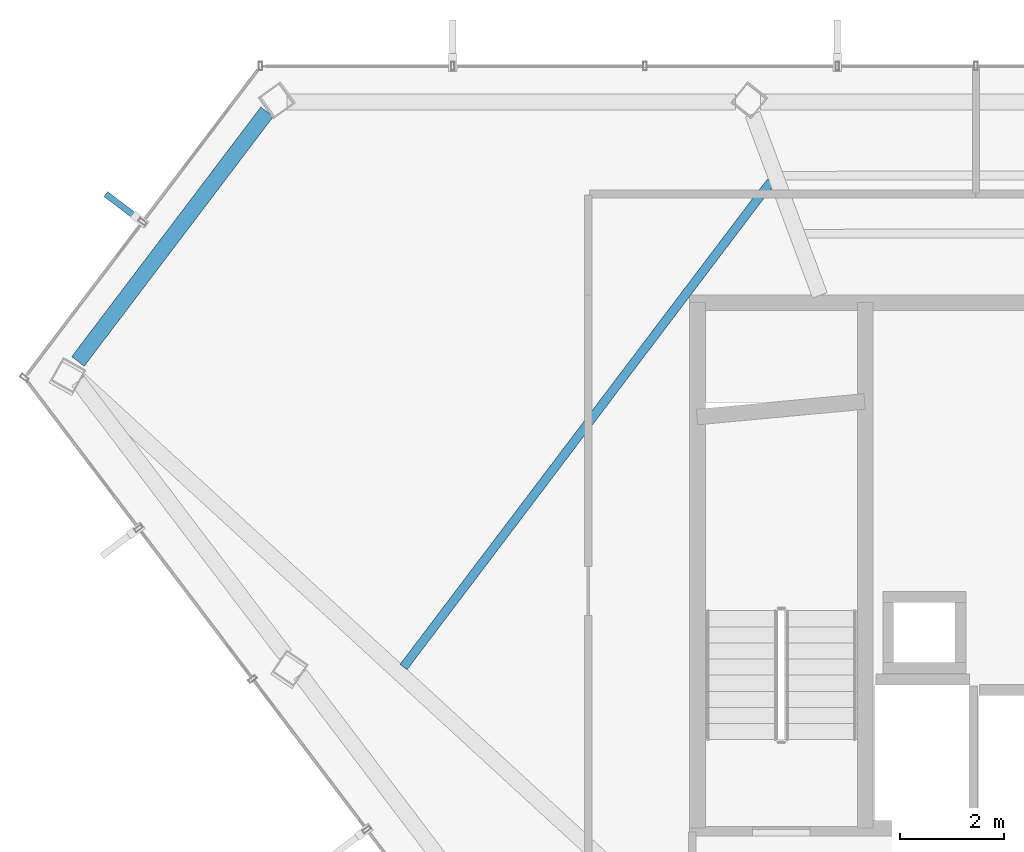
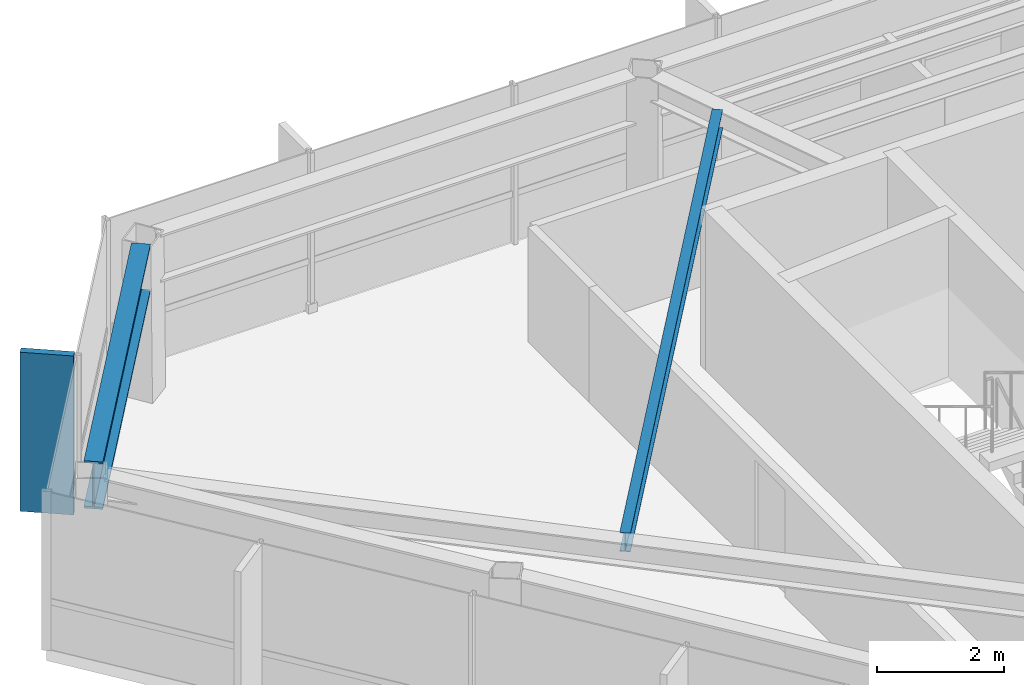
# One storey, part 9 of 24: 2 beams, 1 member, 1 element without a shape of its own.
"""IFC4 building model written with IfcOpenShell, lengths in metres."""

from ifc_helpers import new_model, si_unit, direction, frame, origin, origin_2d, place, context, subcontext, project, spatial, rectangle, i_section, extrude, material, layer, layer_set, material_profile, profile_set, type_object, element, aggregate, save


model = new_model("IFC4")

# Units and contexts
model_context = context("Model", 3, precision=1e-05, world=origin(), true_north=direction((0.0, 1.0)))
body_context = subcontext(model_context, "Body", "Model", "MODEL_VIEW")
ifc_project = project(units=[si_unit("LENGTHUNIT", "METRE"), si_unit("AREAUNIT", "SQUARE_METRE"), si_unit("VOLUMEUNIT", "CUBIC_METRE"), si_unit("PLANEANGLEUNIT", "RADIAN"), si_unit("MASSUNIT", "GRAM", prefix="KILO")], contexts=[model_context])

# Site, building, storey
site_placement = place(None, origin())
site = spatial("IfcSite", under=ifc_project, at=site_placement, CompositionType="ELEMENT")
building_placement = place(site_placement, origin())
building = spatial("IfcBuilding", under=site, at=building_placement, Name="Zarrinselat Tower", CompositionType="ELEMENT")
storey_placement = place(building_placement, frame((0.0, 0.0, 249.56005859375)))
storey = spatial("IfcBuildingStorey", under=building, at=storey_placement, Name="L63", CompositionType="ELEMENT", Elevation=249.56005859375)

# Beams
ifc_material_1 = material(Name="Steel S460M", Category="steel")
ifc_material_profile_1 = material_profile(ifc_material_1, i_section(OverallWidth=0.302001953125, OverallDepth=0.909912109375, WebThickness=0.02099609375, FlangeThickness=0.0400390625, at=origin_2d()), Name="HEM 900")
ifc_profile_set_1 = profile_set([ifc_material_profile_1], Name="Steel S460M")
beam_type_1 = type_object("IfcBeamType", Name="BM-HEM900", PredefinedType="BEAM", material=ifc_profile_set_1)
beam_1_placement = place(storey_placement, frame((16.7451171875, 42.269287109375, 2.594970703125), z_axis=(0.60385534464, 0.797093923418, 0.0), x_axis=(-0.797093923418, 0.60385534464, 0.0)))
element("IfcBeam", 1, at=beam_1_placement, inside=storey, type_object=beam_type_1, Name="L63 Perimeter Spandrel Girder SP05", PredefinedType="BEAM", context=body_context, shape_type="SweptSolid", body=[
    extrude(i_section(OverallWidth=0.302001953125, OverallDepth=0.909912109375, WebThickness=0.02099609375, FlangeThickness=0.0400390625, at=origin_2d()), origin(), (0.0, 0.0, 1.0), 6.017578125),
])
ifc_material_2 = material(Name="Steel S355J2", Category="steel")
ifc_material_profile_2 = material_profile(ifc_material_2, i_section(OverallWidth=0.169921875, OverallDepth=0.360107421875, WebThickness=0.008056640625, FlangeThickness=0.0126953125, at=origin_2d()), Name="IPE 360")
ifc_profile_set_2 = profile_set([ifc_material_profile_2], Name="Steel S355J2")
beam_type_2 = type_object("IfcBeamType", Name="BM-IPE360", PredefinedType="JOIST", material=ifc_profile_set_2)
beam_2_placement = place(storey_placement, frame((23.001220703125, 36.397216796875, 2.869873046875), z_axis=(0.6036065482, 0.79728234332, 0.0), x_axis=(-0.79728234332, 0.6036065482, 0.0)))
element("IfcBeam", 2, at=beam_2_placement, inside=storey, type_object=beam_type_2, Name="L63 Composite Floor Joist 9-1", PredefinedType="JOIST", context=body_context, shape_type="SweptSolid", body=[
    extrude(i_section(OverallWidth=0.169921875, OverallDepth=0.360107421875, WebThickness=0.008056640625, FlangeThickness=0.0126953125, at=origin_2d()), origin(), (0.0, 0.0, 1.0), 11.69921875),
])

# Curtain wall, member
ifc_material_3 = material(Name="Extruded Aluminium Alloy EN AW-6063 T6", Category="aluminium")
ifc_layer = layer(ifc_material_3, 0.169921875)
ifc_layer_set = layer_set([ifc_layer], Name="Extruded Aluminium Alloy EN AW-6063 T6")
curtain_wall_type = type_object("IfcCurtainWallType", Name="CWS-RES", PredefinedType="NOTDEFINED", material=ifc_layer_set)
curtain_wall_placement = place(storey_placement, origin())
curtain_wall = element("IfcCurtainWall", 3, at=curtain_wall_placement, inside=storey, type_object=curtain_wall_type, Name="L63 Unitised Curtain Wall CW-L63-E02", PredefinedType="NOTDEFINED")
ifc_material_4 = material(Name="Honed Cream Travertine Stone", Category="masonry")
ifc_material_profile_3 = material_profile(ifc_material_4, rectangle(XDim=0.1201171875, YDim=0.85009765625, at=origin_2d()), Name="FIN 850x120")
ifc_profile_set_3 = profile_set([ifc_material_profile_3], Name="Honed Cream Travertine Stone")
member_type = type_object("IfcMemberType", Name="MEM-STONE-FIN", PredefinedType="USERDEFINED", material=ifc_profile_set_3)
member_placement = place(storey_placement, frame((17.617919921875, 45.227294921875, 0.0), z_axis=(0.0, 0.0, 1.0), x_axis=(0.603861530965, 0.797089236799, 0.0)))
member = element("IfcMember", 4, at=member_placement, type_object=member_type, Name="L63 Stone Shading Fin CW-L63-E02-01", ObjectType="FIN", PredefinedType="USERDEFINED", context=body_context, shape_type="SweptSolid", body=[
    extrude(rectangle(XDim=0.1201171875, YDim=0.85009765625, at=origin_2d()), origin(), (0.0, 0.0, 1.0), 3.050048828125),
])
aggregate(curtain_wall, [member])

save(model, "model.ifc")
